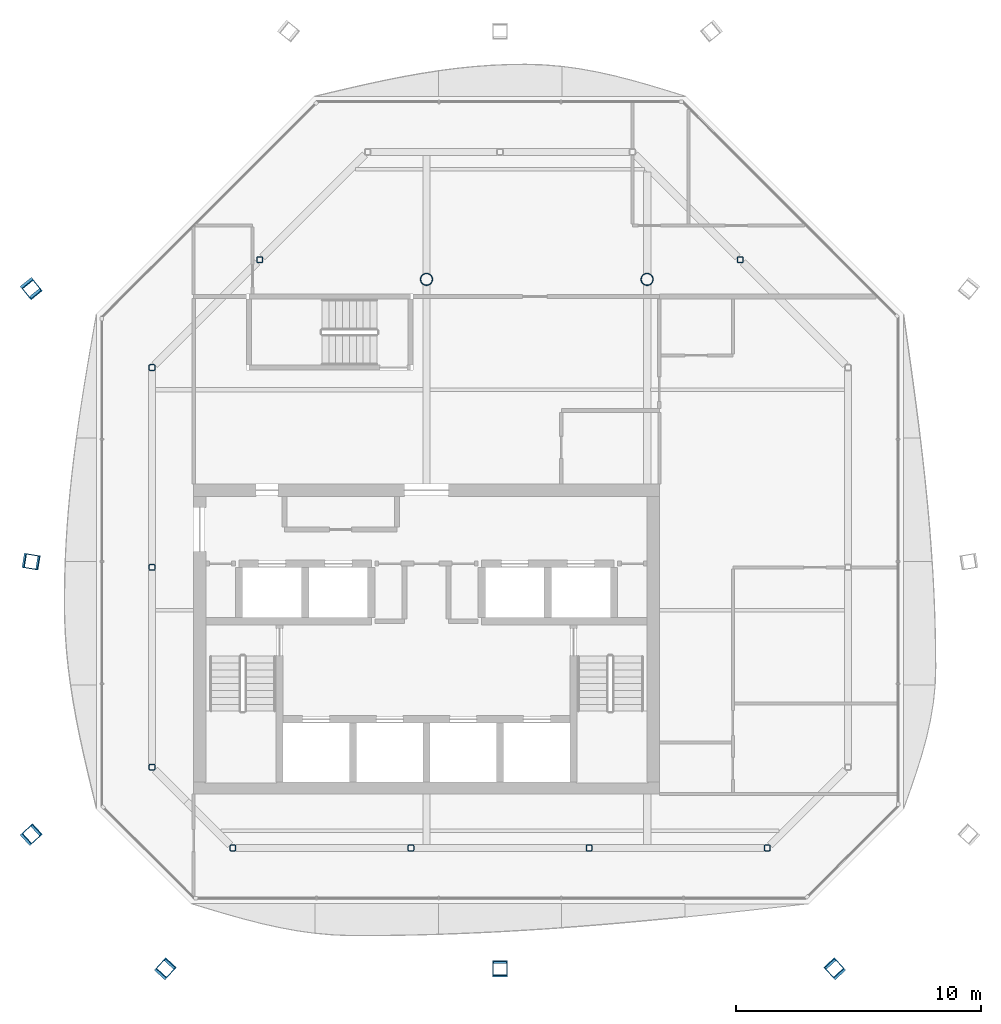
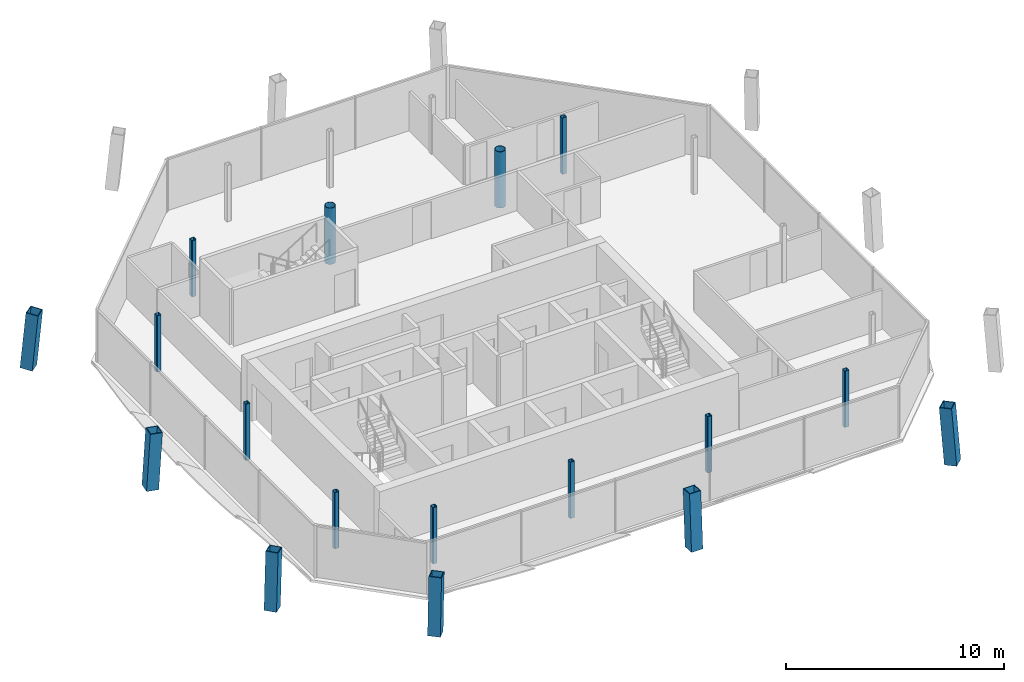
# One storey, part 1 of 14: 17 columns.
"""IFC4 building model written with IfcOpenShell, lengths in metres."""

from ifc_helpers import new_model, si_unit, direction, frame, origin, origin_2d, place, context, subcontext, project, spatial, hollow_rectangle, hollow_circle, extrude, material, material_profile, profile_set, type_object, element, save


model = new_model("IFC4")

# Units and contexts
model_context = context("Model", 3, precision=1e-05, world=origin(), true_north=direction((0.0, 1.0)))
body_context = subcontext(model_context, "Body", "Model", "MODEL_VIEW")
ifc_project = project(units=[si_unit("LENGTHUNIT", "METRE"), si_unit("AREAUNIT", "SQUARE_METRE"), si_unit("VOLUMEUNIT", "CUBIC_METRE"), si_unit("PLANEANGLEUNIT", "RADIAN"), si_unit("MASSUNIT", "GRAM", prefix="KILO")], contexts=[model_context])

# Site, building, storey
site_placement = place(None, origin())
site = spatial("IfcSite", under=ifc_project, at=site_placement, CompositionType="ELEMENT")
building_placement = place(site_placement, origin())
building = spatial("IfcBuilding", under=site, at=building_placement, Name="Tskaro Facet Tower", CompositionType="ELEMENT")
storey_placement = place(building_placement, frame((0.0, 0.0, 272.10009765625)))
storey = spatial("IfcBuildingStorey", under=building, at=storey_placement, Name="L72", CompositionType="ELEMENT", Elevation=272.10009765625)

# Columns
ifc_material_1 = material(Name="Steel S355J2", Category="steel")
ifc_material_profile_1 = material_profile(ifc_material_1, hollow_rectangle(XDim=0.60009765625, YDim=0.60009765625, WallThickness=0.0400390625, at=origin_2d()), Name="BOX 600x600x40")
ifc_profile_set_1 = profile_set([ifc_material_profile_1], Name="Steel S355J2")
column_type_1 = type_object("IfcColumnType", Name="BOX 600x600x40 mega column", PredefinedType="COLUMN", material=ifc_profile_set_1)
column_1_placement = place(storey_placement, frame((-10.68798828125, -19.1630859375, 0.0), z_axis=(0.052851719252, 0.057951446548, 0.996919417814), x_axis=(-0.738869281565, 0.673848784787, 0.0)))
element("IfcColumn", 1, at=column_1_placement, inside=storey, type_object=column_type_1, Name="BOX 600x600x40 MC01/6", PredefinedType="COLUMN", context=body_context, shape_type="SweptSolid", body=[
    extrude(hollow_rectangle(XDim=0.60009765625, YDim=0.60009765625, WallThickness=0.0400390625, at=origin_2d()), origin(), (0.0, 0.0, 1.0), 3.15966796875),
])
column_2_placement = place(storey_placement, frame((3.0, -19.1630859375, 0.0), z_axis=(0.0, 0.058032554517, 0.998314691175), x_axis=(-1.0, 0.0, 0.0)))
element("IfcColumn", 2, at=column_2_placement, inside=storey, type_object=column_type_1, Name="BOX 600x600x40 MC02/6", PredefinedType="COLUMN", context=body_context, shape_type="SweptSolid", body=[
    extrude(hollow_rectangle(XDim=0.60009765625, YDim=0.60009765625, WallThickness=0.0400390625, at=origin_2d()), origin(), (0.0, 0.0, 1.0), 3.1552734375),
])
column_3_placement = place(storey_placement, frame((16.68798828125, -19.1630859375, 0.0), z_axis=(-0.052851719252, 0.057951446548, 0.996919417814), x_axis=(-0.738869281565, -0.673848784787, 0.0)))
element("IfcColumn", 3, at=column_3_placement, inside=storey, type_object=column_type_1, Name="BOX 600x600x40 MC03/6", PredefinedType="COLUMN", context=body_context, shape_type="SweptSolid", body=[
    extrude(hollow_rectangle(XDim=0.60009765625, YDim=0.60009765625, WallThickness=0.0400390625, at=origin_2d()), origin(), (0.0, 0.0, 1.0), 3.15966796875),
])
column_4_placement = place(storey_placement, frame((-16.1630859375, 8.666015625, 0.0), z_axis=(0.057884160553, -0.071467643563, 0.995761919276), x_axis=(0.777088504756, 0.629391337545, 0.0)))
element("IfcColumn", 4, at=column_4_placement, inside=storey, type_object=column_type_1, Name="BOX 600x600x40 MC10/6", PredefinedType="COLUMN", context=body_context, shape_type="SweptSolid", body=[
    extrude(hollow_rectangle(XDim=0.60009765625, YDim=0.60009765625, WallThickness=0.0400390625, at=origin_2d()), origin(), (0.0, 0.0, 1.0), 3.163330078125),
])
column_5_placement = place(storey_placement, frame((-16.1630859375, -2.510986328125, 0.0), z_axis=(0.058029926409, -0.009516907931, 0.998269480704), x_axis=(0.161838042552, 0.986817332632, 0.0)))
element("IfcColumn", 5, at=column_5_placement, inside=storey, type_object=column_type_1, Name="BOX 600x600x40 MC11/6", PredefinedType="COLUMN", context=body_context, shape_type="SweptSolid", body=[
    extrude(hollow_rectangle(XDim=0.60009765625, YDim=0.60009765625, WallThickness=0.0400390625, at=origin_2d()), origin(), (0.0, 0.0, 1.0), 3.1552734375),
])
column_6_placement = place(storey_placement, frame((-16.1630859375, -13.68798828125, 0.0), z_axis=(0.057951446548, 0.052851719252, 0.996919417814), x_axis=(-0.673848784787, 0.738869281565, 0.0)))
element("IfcColumn", 6, at=column_6_placement, inside=storey, type_object=column_type_1, Name="BOX 600x600x40 MC12/6", PredefinedType="COLUMN", context=body_context, shape_type="SweptSolid", body=[
    extrude(hollow_rectangle(XDim=0.60009765625, YDim=0.60009765625, WallThickness=0.0400390625, at=origin_2d()), origin(), (0.0, 0.0, 1.0), 3.15966796875),
])
ifc_material_2 = material(Name="Steel S355J2H", Category="steel")
ifc_material_profile_2 = material_profile(ifc_material_2, hollow_circle(Radius=0.25390625, WallThickness=0.02490234375, at=origin_2d()), Name="CHS 508x25")
ifc_profile_set_2 = profile_set([ifc_material_profile_2], Name="Steel S355J2H")
column_type_2 = type_object("IfcColumnType", Name="CHS 508x25 interior column", PredefinedType="COLUMN", material=ifc_profile_set_2)
for number, where, z_axis, x_axis, name in (
    (7, (0.0, 9.0, 0.0), (0.0, 0.0, 1.0), (1.0, 0.0, 0.0), "CHS 508x25 C4E/6"),
    (8, (9.0, 9.0, 0.0), (0.0, 0.0, 1.0), (1.0, 0.0, 0.0), "CHS 508x25 C5E/6"),
):
    element("IfcColumn", number, at=place(storey_placement, frame(where, z_axis=z_axis, x_axis=x_axis)), inside=storey, type_object=column_type_2, Name=name, PredefinedType="COLUMN", context=body_context, shape_type="SweptSolid", body=[
        extrude(hollow_circle(Radius=0.25390625, WallThickness=0.02490234375, at=origin_2d()), origin(), (0.0, 0.0, 1.0), 3.14990234375),
    ])
ifc_material_profile_3 = material_profile(ifc_material_2, hollow_rectangle(XDim=0.25, YDim=0.25, WallThickness=0.02001953125, InnerFilletRadius=0.030029296875, OuterFilletRadius=0.050048828125, at=origin_2d()), Name="SHS 250x250x20")
ifc_profile_set_3 = profile_set([ifc_material_profile_3], Name="Steel S355J2H")
column_type_3 = type_object("IfcColumnType", Name="SHS 250x250x20 ring column", PredefinedType="COLUMN", material=ifc_profile_set_3)
for number, where, z_axis, x_axis, name in (
    (9, (-7.903076171875, -14.199951171875, 0.0), (0.0, 0.0, 1.0), (1.0, 0.0, 0.0), "SHS 250x250x20 RS-1/6"),
    (10, (-0.634033203125, -14.199951171875, 0.0), (0.0, 0.0, 1.0), (1.0, 0.0, 0.0), "SHS 250x250x20 RS-2/6"),
    (11, (6.634033203125, -14.199951171875, 0.0), (0.0, 0.0, 1.0), (1.0, 0.0, 0.0), "SHS 250x250x20 RS-3/6"),
    (12, (13.903076171875, -14.199951171875, 0.0), (0.0, 0.0, 1.0), (1.0, 0.0, 0.0), "SHS 250x250x20 RSE-1/6"),
    (13, (12.802001953125, 9.802001953125, 0.0), (0.0, 0.0, 1.0), (1.0, 0.0, 0.0), "SHS 250x250x20 RNE-2/6"),
    (14, (-6.801025390625, 9.801025390625, 0.0), (0.0, 0.0, 1.0), (1.0, 0.0, 0.0), "SHS 250x250x20 RNW-2/6"),
    (15, (-11.199951171875, 5.403076171875, 0.0), (0.0, 0.0, 1.0), (1.0, 0.0, 0.0), "SHS 250x250x20 RW-1/6"),
    (16, (-11.199951171875, -2.75, 0.0), (0.0, 0.0, 1.0), (1.0, 0.0, 0.0), "SHS 250x250x20 RW-2/6"),
    (17, (-11.199951171875, -10.903076171875, 0.0), (0.0, 0.0, 1.0), (1.0, 0.0, 0.0), "SHS 250x250x20 RSW-1/6"),
):
    element("IfcColumn", number, at=place(storey_placement, frame(where, z_axis=z_axis, x_axis=x_axis)), inside=storey, type_object=column_type_3, Name=name, PredefinedType="COLUMN", context=body_context, shape_type="SweptSolid", body=[
        extrude(hollow_rectangle(XDim=0.25, YDim=0.25, WallThickness=0.02001953125, InnerFilletRadius=0.030029296875, OuterFilletRadius=0.050048828125, at=origin_2d()), origin(), (0.0, 0.0, 1.0), 3.14990234375),
    ])

save(model, "model.ifc")
